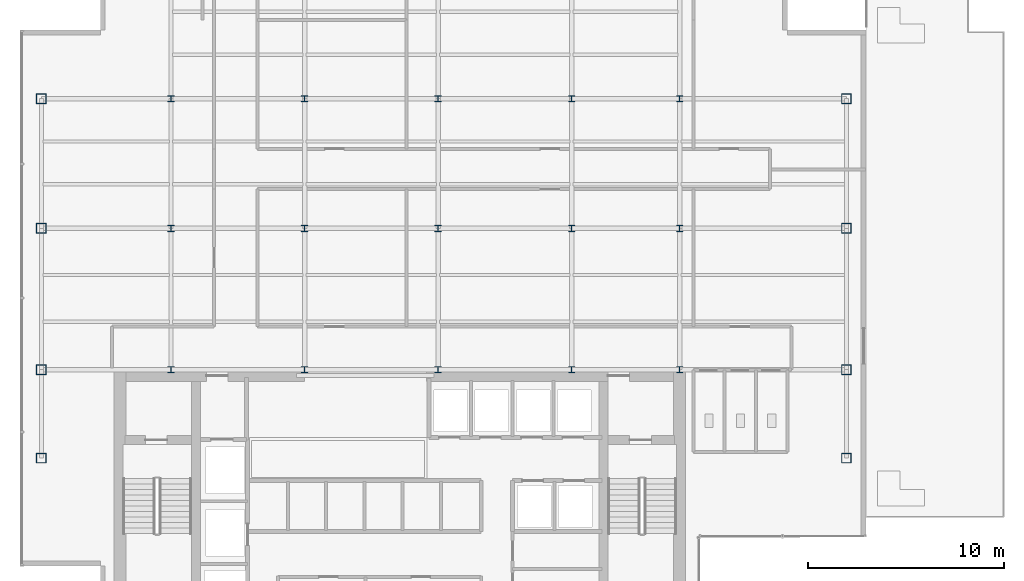
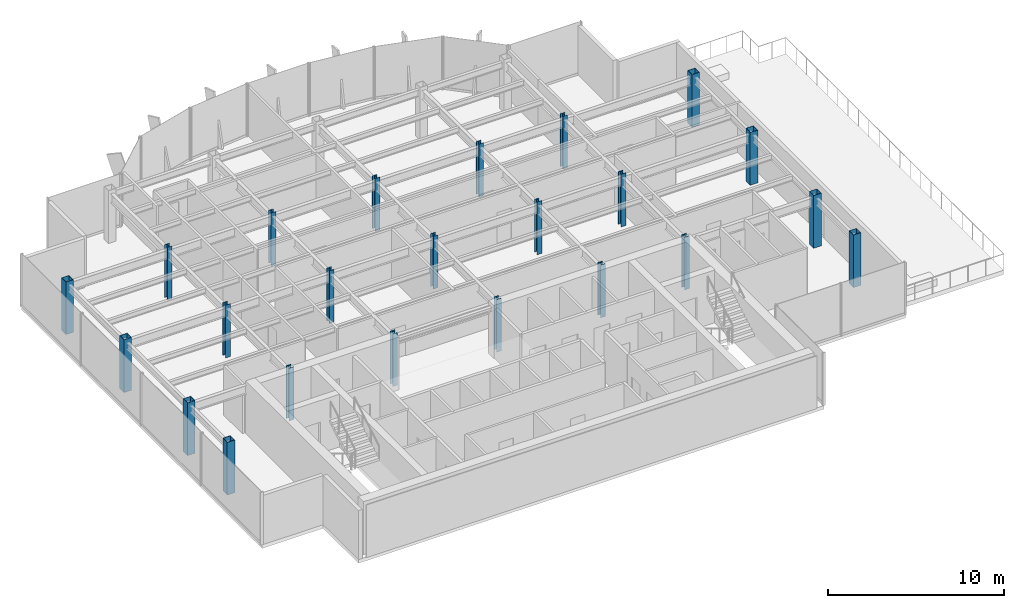
# One storey, part 1 of 21: 23 columns.
"""IFC4 building model written with IfcOpenShell, lengths in metres."""

from ifc_helpers import new_model, si_unit, derived_unit, direction, frame, origin, origin_2d, place, context, subcontext, project, spatial, hollow_rectangle, i_section, extrude, source, transform, mapped, material, material_profile, profile_set, type_object, element, save


model = new_model("IFC4")

# Units and contexts
model_context = context("Model", 3, precision=1e-05, world=origin(), true_north=direction((0.0, 1.0)))
body_context = subcontext(model_context, "Body", "Model", "MODEL_VIEW")
ifc_project = project(units=[si_unit("LENGTHUNIT", "METRE"), si_unit("AREAUNIT", "SQUARE_METRE"), si_unit("VOLUMEUNIT", "CUBIC_METRE"), si_unit("PLANEANGLEUNIT", "RADIAN"), si_unit("MASSUNIT", "GRAM", prefix="KILO"), derived_unit("THERMALTRANSMITTANCEUNIT", [(si_unit("POWERUNIT", "WATT"), 1), (si_unit("LENGTHUNIT", "METRE"), -2), (si_unit("THERMODYNAMICTEMPERATUREUNIT", "KELVIN"), -1)])], contexts=[model_context])

# Site, building, storey
site_placement = place(None, origin())
site = spatial("IfcSite", under=ifc_project, at=site_placement, CompositionType="ELEMENT")
building_placement = place(site_placement, origin())
building = spatial("IfcBuilding", under=site, at=building_placement, Name="Skarnbrae Concourse Arena and Tower", CompositionType="ELEMENT")
storey_placement = place(building_placement, frame((0.0, 0.0, 188.60009765625)))
storey = spatial("IfcBuildingStorey", under=building, at=storey_placement, Name="L48", CompositionType="ELEMENT", Elevation=188.60009765625)

# Columns
ifc_material = material(Name="Steel CSA G40.21 350W", Category="steel")
ifc_material_profile_1 = material_profile(ifc_material, hollow_rectangle(XDim=0.5, YDim=0.5, WallThickness=0.02197265625, at=origin_2d()), Name="HSS500X500X22.0")
ifc_profile_set_1 = profile_set([ifc_material_profile_1], Name="Steel CSA G40.21 350W")
column_type_1 = type_object("IfcColumnType", Name="COL-TUBE-HSS500", PredefinedType="COLUMN", material=ifc_profile_set_1)
shared_shape_1 = source(origin(), body_context, "Body", "SweptSolid", [
    extrude(hollow_rectangle(XDim=0.5, YDim=0.5, WallThickness=0.02197265625, at=origin_2d()), origin(), (0.0, 0.0, 1.0), 3.64990234375),
])
for number, where, z_axis, x_axis, name in (
    (1, (1.0, 9.5, 0.0), (0.0, 0.0, 1.0), (1.0, 0.0, 0.0), "L48 Tower column PC_01_01"),
    (2, (1.0, 14.0, 0.0), (0.0, 0.0, 1.0), (1.0, 0.0, 0.0), "L48 Tower column PC_01_02"),
    (3, (1.0, 21.199951171875, 0.0), (0.0, 0.0, 1.0), (1.0, 0.0, 0.0), "L48 Tower column PC_01_03"),
    (4, (1.0, 27.800048828125, 0.0), (0.0, 0.0, 1.0), (1.0, 0.0, 0.0), "L48 Tower column PC_01_04"),
    (5, (42.0, 9.5, 0.0), (0.0, 0.0, 1.0), (1.0, 0.0, 0.0), "L48 Tower column PC_07_01"),
    (6, (42.0, 14.0, 0.0), (0.0, 0.0, 1.0), (1.0, 0.0, 0.0), "L48 Tower column PC_07_02"),
    (7, (42.0, 21.199951171875, 0.0), (0.0, 0.0, 1.0), (1.0, 0.0, 0.0), "L48 Tower column PC_07_03"),
    (8, (42.0, 27.800048828125, 0.0), (0.0, 0.0, 1.0), (1.0, 0.0, 0.0), "L48 Tower column PC_07_04"),
):
    element("IfcColumn", number, at=place(storey_placement, frame(where, z_axis=z_axis, x_axis=x_axis)), inside=storey, type_object=column_type_1, Name=name, PredefinedType="COLUMN", context=body_context, shape_type="MappedRepresentation", body=[
        mapped(shared_shape_1, transform((0.0, 0.0, 0.0))),
    ])
ifc_material_profile_2 = material_profile(ifc_material, i_section(OverallWidth=0.30908203125, OverallDepth=0.322998046875, WebThickness=0.013916015625, FlangeThickness=0.02294921875, at=origin_2d()), Name="W310X143")
ifc_profile_set_2 = profile_set([ifc_material_profile_2], Name="Steel CSA G40.21 350W")
column_type_2 = type_object("IfcColumnType", Name="COL-INT-W310X143", PredefinedType="COLUMN", material=ifc_profile_set_2)
shared_shape_2 = source(origin(), body_context, "Body", "SweptSolid", [
    extrude(i_section(OverallWidth=0.30908203125, OverallDepth=0.322998046875, WebThickness=0.013916015625, FlangeThickness=0.02294921875, at=origin_2d()), origin(), (0.0, 0.0, 1.0), 3.64990234375),
])
for number, where, z_axis, x_axis, name in (
    (9, (7.60009765625, 14.0, 0.0), (0.0, 0.0, 1.0), (1.0, 0.0, 0.0), "L48 Tower column IC_02_02"),
    (10, (7.60009765625, 21.199951171875, 0.0), (0.0, 0.0, 1.0), (1.0, 0.0, 0.0), "L48 Tower column IC_02_03"),
    (11, (7.60009765625, 27.800048828125, 0.0), (0.0, 0.0, 1.0), (1.0, 0.0, 0.0), "L48 Tower column IC_02_04"),
    (12, (14.39990234375, 14.0, 0.0), (0.0, 0.0, 1.0), (1.0, 0.0, 0.0), "L48 Tower column IC_03_02"),
    (13, (14.39990234375, 21.199951171875, 0.0), (0.0, 0.0, 1.0), (1.0, 0.0, 0.0), "L48 Tower column IC_03_03"),
    (14, (14.39990234375, 27.800048828125, 0.0), (0.0, 0.0, 1.0), (1.0, 0.0, 0.0), "L48 Tower column IC_03_04"),
    (15, (21.199951171875, 14.0, 0.0), (0.0, 0.0, 1.0), (1.0, 0.0, 0.0), "L48 Tower column IC_04_02"),
    (16, (21.199951171875, 21.199951171875, 0.0), (0.0, 0.0, 1.0), (1.0, 0.0, 0.0), "L48 Tower column IC_04_03"),
    (17, (21.199951171875, 27.800048828125, 0.0), (0.0, 0.0, 1.0), (1.0, 0.0, 0.0), "L48 Tower column IC_04_04"),
    (18, (28.0, 14.0, 0.0), (0.0, 0.0, 1.0), (1.0, 0.0, 0.0), "L48 Tower column IC_05_02"),
    (19, (28.0, 21.199951171875, 0.0), (0.0, 0.0, 1.0), (1.0, 0.0, 0.0), "L48 Tower column IC_05_03"),
    (20, (28.0, 27.800048828125, 0.0), (0.0, 0.0, 1.0), (1.0, 0.0, 0.0), "L48 Tower column IC_05_04"),
    (21, (33.5, 14.0, 0.0), (0.0, 0.0, 1.0), (1.0, 0.0, 0.0), "L48 Tower column IC_06_02"),
    (22, (33.5, 21.199951171875, 0.0), (0.0, 0.0, 1.0), (1.0, 0.0, 0.0), "L48 Tower column IC_06_03"),
    (23, (33.5, 27.800048828125, 0.0), (0.0, 0.0, 1.0), (1.0, 0.0, 0.0), "L48 Tower column IC_06_04"),
):
    element("IfcColumn", number, at=place(storey_placement, frame(where, z_axis=z_axis, x_axis=x_axis)), inside=storey, type_object=column_type_2, Name=name, PredefinedType="COLUMN", context=body_context, shape_type="MappedRepresentation", body=[
        mapped(shared_shape_2, transform((0.0, 0.0, 0.0))),
    ])

save(model, "model.ifc")
